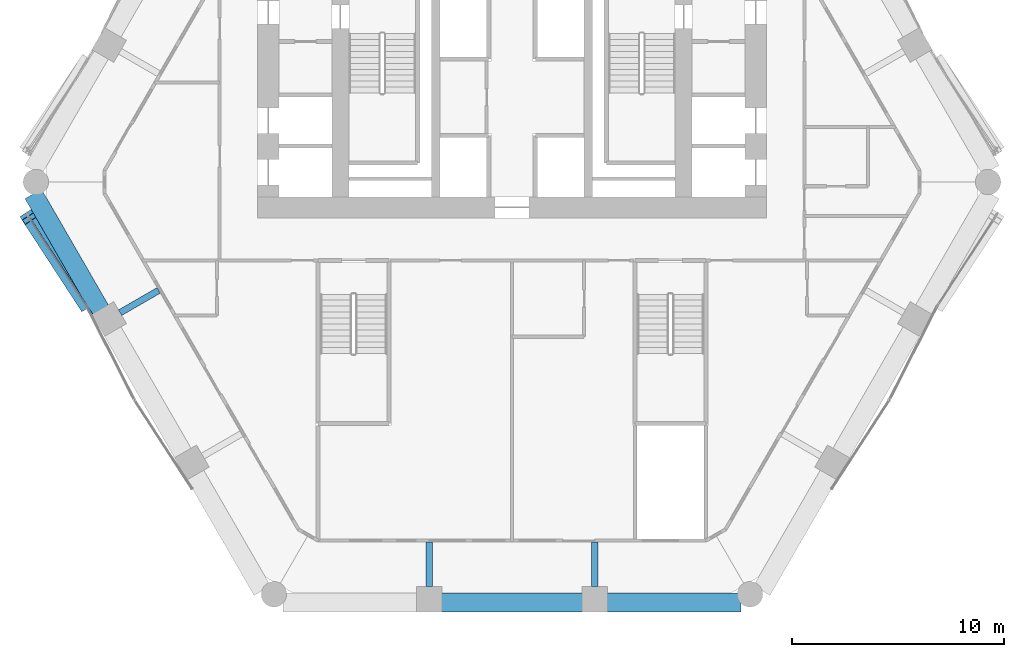
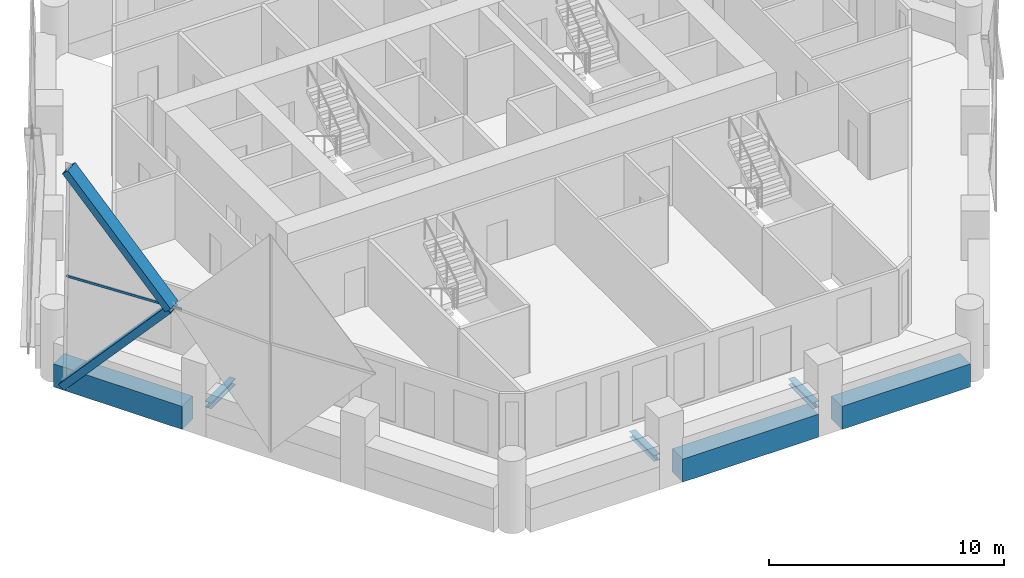
# One storey, part 3 of 16: 6 beams, 3 members, 1 element without a shape of its own.
"""IFC4 building model written with IfcOpenShell, lengths in metres."""

from ifc_helpers import new_model, si_unit, direction, frame, origin, origin_2d, place, context, subcontext, project, spatial, rectangle, hollow_rectangle, i_section, extrude, material, material_profile, profile_set, type_object, element, aggregate, save


model = new_model("IFC4")

# Units and contexts
model_context = context("Model", 3, precision=1e-05, world=origin(), true_north=direction((0.0, 1.0)))
body_context = subcontext(model_context, "Body", "Model", "MODEL_VIEW")
ifc_project = project(units=[si_unit("LENGTHUNIT", "METRE"), si_unit("AREAUNIT", "SQUARE_METRE"), si_unit("VOLUMEUNIT", "CUBIC_METRE"), si_unit("PLANEANGLEUNIT", "RADIAN"), si_unit("MASSUNIT", "GRAM", prefix="KILO")], contexts=[model_context])

# Site, building, storey
site_placement = place(None, origin())
site = spatial("IfcSite", under=ifc_project, at=site_placement, CompositionType="ELEMENT")
building_placement = place(site_placement, origin())
building = spatial("IfcBuilding", under=site, at=building_placement, Name="Ostrander Bayou Hotel Tower", CompositionType="ELEMENT")
storey_placement = place(building_placement, frame((0.0, 0.0, 85.5)))
storey = spatial("IfcBuildingStorey", under=building, at=storey_placement, Name="L21", CompositionType="ELEMENT", Elevation=85.5)

# Curtain wall, member
ifc_material_1 = material(Name="Aluminium and clear glass", Category="aluminium")
curtain_wall_type = type_object("IfcCurtainWallType", Name="CW-LAT lattice glazing", PredefinedType="NOTDEFINED", material=ifc_material_1)
curtain_wall_placement = place(storey_placement, origin())
curtain_wall = element("IfcCurtainWall", 1, at=curtain_wall_placement, inside=storey, type_object=curtain_wall_type, Name="CW-LAT L21 SW 2", PredefinedType="NOTDEFINED")
ifc_material_2 = material(Name="Aluminium", Category="aluminium")
ifc_material_profile_1 = material_profile(ifc_material_2, hollow_rectangle(XDim=0.06005859375, YDim=0.1201171875, WallThickness=0.00390625, at=origin_2d()))
ifc_profile_set_1 = profile_set([ifc_material_profile_1], Name="Aluminium")
member_type_1 = type_object("IfcMemberType", Name="CW-LA transom 60 x 120 mm", PredefinedType="USERDEFINED", material=ifc_profile_set_1)
member_1_placement = place(storey_placement, frame((-22.80908203125, -1.63330078125, 5.02490234375), z_axis=(0.545018043836, -0.838424314946, 0.0), x_axis=(0.838424314946, 0.545018043836, 0.0)))
member_1 = element("IfcMember", 2, at=member_1_placement, type_object=member_type_1, Name="CW-LAT transom 3", ObjectType="TRANSOM", PredefinedType="USERDEFINED", context=body_context, shape_type="SweptSolid", body=[
    extrude(hollow_rectangle(XDim=0.06005859375, YDim=0.1201171875, WallThickness=0.00390625, at=origin_2d()), origin(), (0.0, 0.0, 1.0), 5.490966796875),
])
aggregate(curtain_wall, [member_1])

# Beams
ifc_material_3 = material(Name="Steel ASTM A992", Category="steel")
ifc_material_profile_2 = material_profile(ifc_material_3, i_section(OverallWidth=0.3046875, OverallDepth=0.307861328125, WebThickness=0.010009765625, FlangeThickness=0.015380859375, at=origin_2d()))
ifc_profile_set_2 = profile_set([ifc_material_profile_2], Name="Steel ASTM A992")
beam_type_1 = type_object("IfcBeamType", Name="LB1 loggia bracket W12x65", PredefinedType="BEAM", material=ifc_profile_set_2)
for number, where, z_axis, x_axis, name in (
    (3, (-18.494384765625, -6.166748046875, -0.453857421875), (0.866009402589, 0.500027713859, 0.0), (-0.500027713859, 0.866009402589, 0.0), "LB1 L21 SW1"),
    (4, (-3.90673828125, -19.10009765625, -0.453857421875), (0.0, 1.0, 0.0), (-1.0, 0.0, 0.0), "LB1 L21 S1"),
    (5, (3.90673828125, -19.10009765625, -0.453857421875), (0.0, 1.0, 0.0), (-1.0, 0.0, 0.0), "LB1 L21 S2"),
):
    element("IfcBeam", number, at=place(storey_placement, frame(where, z_axis=z_axis, x_axis=x_axis)), inside=storey, type_object=beam_type_1, Name=name, PredefinedType="BEAM", context=body_context, shape_type="SweptSolid", body=[
        extrude(i_section(OverallWidth=0.3046875, OverallDepth=0.307861328125, WebThickness=0.010009765625, FlangeThickness=0.015380859375, at=origin_2d()), origin(), (0.0, 0.0, 1.0), 2.10009765625),
    ])

# Members
ifc_material_4 = material(Name="Steel ASTM A572 Gr 50", Category="steel")
ifc_material_profile_3 = material_profile(ifc_material_4, hollow_rectangle(XDim=0.699951171875, YDim=0.35009765625, WallThickness=0.02490234375, at=origin_2d()))
ifc_profile_set_3 = profile_set([ifc_material_profile_3], Name="Steel ASTM A572 Gr 50")
member_type_2 = type_object("IfcMemberType", Name="LT1 lattice member box 700 x 350 x 25 mm", PredefinedType="BRACE", material=ifc_profile_set_3)
member_2_placement = place(storey_placement, frame((-20.082763671875, -5.826904296875, 5.02490234375), z_axis=(-0.365423728311, 0.563269107489, -0.741075847222), x_axis=(-0.838920497294, -0.544253984111, 0.0)))
element("IfcMember", 6, at=member_2_placement, inside=storey, type_object=member_type_2, Name="LT1 L21 SW 1", PredefinedType="BRACE", context=body_context, shape_type="SweptSolid", body=[
    extrude(hollow_rectangle(XDim=0.699951171875, YDim=0.35009765625, WallThickness=0.02490234375, at=origin_2d()), origin(), (0.0, 0.0, 1.0), 7.59033203125),
])
member_3_placement = place(storey_placement, frame((-20.082763671875, -5.826904296875, 5.02490234375), z_axis=(-0.358902908765, 0.550814907, 0.753519502273), x_axis=(-0.837836167518, -0.545921749337, 0.0)))
element("IfcMember", 7, at=member_3_placement, inside=storey, type_object=member_type_2, Name="LT1 L21 SW 2", PredefinedType="BRACE", context=body_context, shape_type="SweptSolid", body=[
    extrude(hollow_rectangle(XDim=0.699951171875, YDim=0.35009765625, WallThickness=0.02490234375, at=origin_2d()), origin(), (0.0, 0.0, 1.0), 7.465087890625),
])

# Beams
ifc_material_5 = material(Name="Concrete f'c 70 MPa", Category="concrete")
ifc_material_profile_4 = material_profile(ifc_material_5, rectangle(XDim=0.89990234375, YDim=1.199951171875, at=origin_2d()))
ifc_profile_set_4 = profile_set([ifc_material_profile_4], Name="Concrete f'c 70 MPa")
beam_type_2 = type_object("IfcBeamType", Name="SP2 spandrel beam 900 x 1200 mm f'c 70 MPa", PredefinedType="SPANDREL", material=ifc_profile_set_4)
beam_1_placement = place(storey_placement, frame((-22.595458984375, -0.563720703125, -0.60009765625), z_axis=(0.500011668103, -0.866018667098, 0.0), x_axis=(0.866018667098, 0.500011668103, 0.0)))
element("IfcBeam", 8, at=beam_1_placement, inside=storey, type_object=beam_type_2, Name="SP2 L21 SW-1", PredefinedType="SPANDREL", context=body_context, shape_type="SweptSolid", body=[
    extrude(rectangle(XDim=0.89990234375, YDim=1.199951171875, at=origin_2d()), origin(), (0.0, 0.0, 1.0), 6.332763671875),
])
beam_2_placement = place(storey_placement, frame((-3.336669921875, -19.85009765625, -0.60009765625), z_axis=(1.0, 0.0, 0.0), x_axis=(0.0, 1.0, 0.0)))
element("IfcBeam", 9, at=beam_2_placement, inside=storey, type_object=beam_type_2, Name="SP2 L21 S-2", PredefinedType="SPANDREL", context=body_context, shape_type="SweptSolid", body=[
    extrude(rectangle(XDim=0.89990234375, YDim=1.199951171875, at=origin_2d()), origin(), (0.0, 0.0, 1.0), 6.67333984375),
])
beam_3_placement = place(storey_placement, frame((4.476806640625, -19.85009765625, -0.60009765625), z_axis=(1.0, 0.0, 0.0), x_axis=(0.0, 1.0, 0.0)))
element("IfcBeam", 10, at=beam_3_placement, inside=storey, type_object=beam_type_2, Name="SP2 L21 S-3", PredefinedType="SPANDREL", context=body_context, shape_type="SweptSolid", body=[
    extrude(rectangle(XDim=0.89990234375, YDim=1.199951171875, at=origin_2d()), origin(), (0.0, 0.0, 1.0), 6.332763671875),
])

save(model, "model.ifc")
